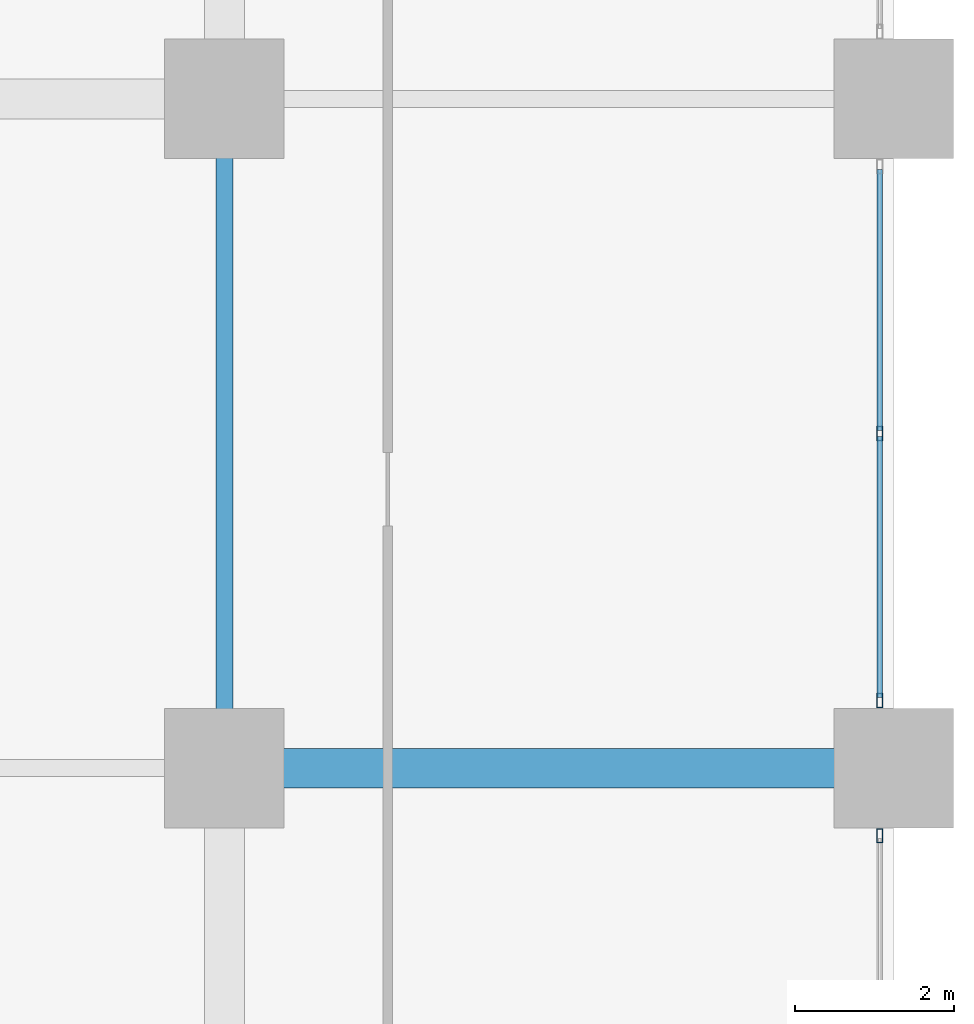
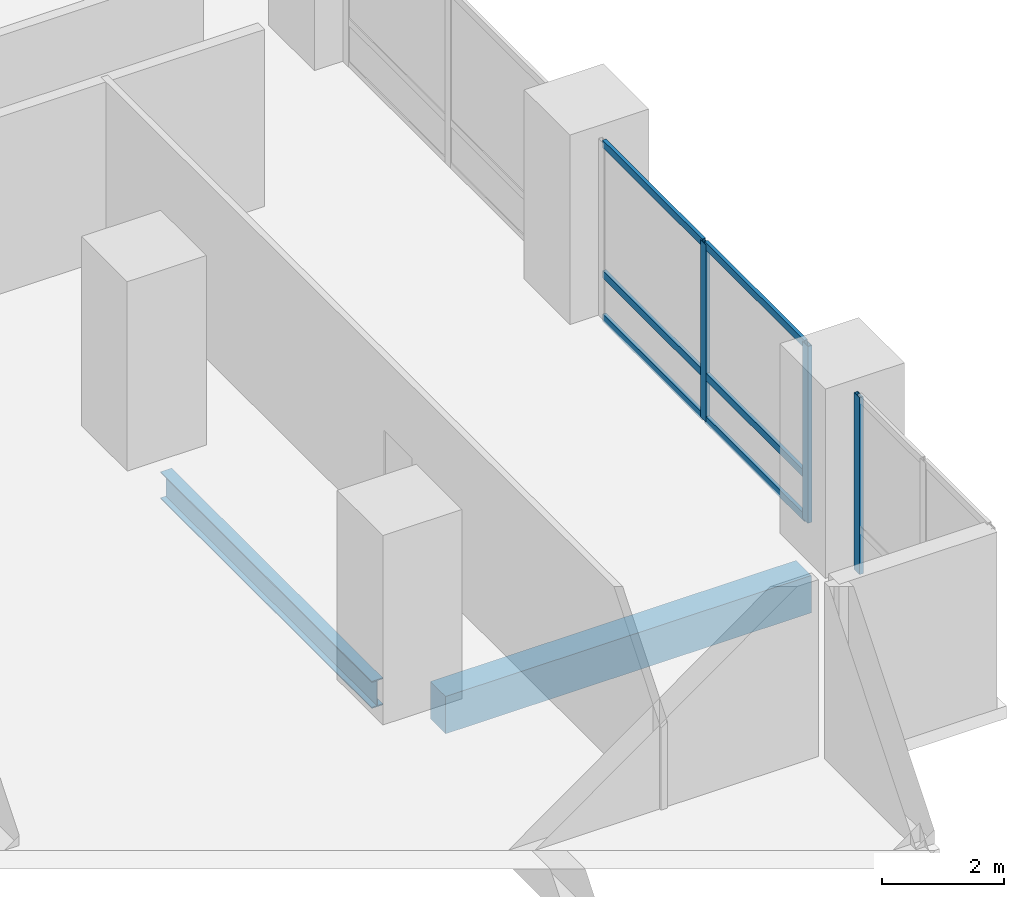
# One storey, part 4 of 27: 9 members, 2 beams, 2 elements without a shape of their own.
"""IFC4 building model written with IfcOpenShell, lengths in metres."""

from ifc_helpers import new_model, si_unit, direction, frame, origin, origin_2d, place, context, subcontext, project, spatial, rectangle, hollow_rectangle, i_section, extrude, material, layer, layer_set, material_profile, profile_set, type_object, element, aggregate, save


model = new_model("IFC4")

# Units and contexts
model_context = context("Model", 3, precision=1e-05, world=origin(), true_north=direction((0.0, 1.0)))
body_context = subcontext(model_context, "Body", "Model", "MODEL_VIEW")
ifc_project = project(units=[si_unit("LENGTHUNIT", "METRE"), si_unit("AREAUNIT", "SQUARE_METRE"), si_unit("VOLUMEUNIT", "CUBIC_METRE"), si_unit("PLANEANGLEUNIT", "RADIAN"), si_unit("MASSUNIT", "GRAM", prefix="KILO")], contexts=[model_context])

# Site, building, storey
site_placement = place(None, origin())
site = spatial("IfcSite", under=ifc_project, at=site_placement, CompositionType="ELEMENT")
building_placement = place(site_placement, origin())
building = spatial("IfcBuilding", under=site, at=building_placement, Name="Koriwani Terraces Tower", CompositionType="ELEMENT")
storey_placement = place(building_placement, frame((0.0, 0.0, 54.800048828125)))
storey = spatial("IfcBuildingStorey", under=building, at=storey_placement, Name="L12", CompositionType="ELEMENT", Elevation=54.800048828125)

# Beam
ifc_material_1 = material(Name="Concrete C50/60", Category="concrete")
ifc_material_profile_1 = material_profile(ifc_material_1, rectangle(XDim=0.5, YDim=0.75, at=origin_2d()), Name="Concrete C50/60", Category="LoadBearing")
ifc_profile_set_1 = profile_set([ifc_material_profile_1], Name="Concrete C50/60")
beam_type_1 = type_object("IfcBeamType", Name="BEAM_RC_GRID_500X750", PredefinedType="BEAM", material=ifc_profile_set_1)
beam_1_placement = place(storey_placement, frame((84.72998046875, 8.39990234375, -0.625), z_axis=(1.0, 0.0, 0.0), x_axis=(0.0, 1.0, 0.0)))
element("IfcBeam", 1, at=beam_1_placement, inside=storey, type_object=beam_type_1, Name="L12 Grid Beam B (84.0-92.4m)", PredefinedType="BEAM", context=body_context, shape_type="SweptSolid", body=[
    extrude(rectangle(XDim=0.5, YDim=0.75, at=origin_2d()), origin(), (0.0, 0.0, 1.0), 6.93994140625),
])

# Curtain wall, members
ifc_material_2 = material(Name="Anodised Bronze Aluminium", Category="aluminium")
ifc_layer = layer(ifc_material_2, 0.179931640625, Name="Anodised Bronze Aluminium")
ifc_layer_set = layer_set([ifc_layer], Name="Anodised Bronze Aluminium")
curtain_wall_type = type_object("IfcCurtainWallType", Name="CW_HOTEL_ZONE1", PredefinedType="NOTDEFINED", material=ifc_layer_set)
curtain_wall_1_placement = place(storey_placement, origin())
curtain_wall_1 = element("IfcCurtainWall", 2, at=curtain_wall_1_placement, inside=storey, type_object=curtain_wall_type, Name="L12 Unitised Curtain Wall (E_TIP) Bay 3", PredefinedType="NOTDEFINED")
ifc_material_profile_2 = material_profile(ifc_material_2, hollow_rectangle(XDim=0.074951171875, YDim=0.179931640625, WallThickness=0.006103515625, at=origin_2d()), Name="Anodised Bronze Aluminium", Category="LoadBearing")
ifc_profile_set_2 = profile_set([ifc_material_profile_2], Name="Anodised Bronze Aluminium")
member_type_1 = type_object("IfcMemberType", Name="CW_MULLION_180X75", PredefinedType="MULLION", material=ifc_profile_set_2)
member_1_placement = place(storey_placement, frame((92.22509765625, 12.60009765625, 0.0), z_axis=(0.0, 0.0, 1.0), x_axis=(1.0, 0.0, 0.0)))
member_1 = element("IfcMember", 3, at=member_1_placement, type_object=member_type_1, Name="CW-Z1 mullion 2", PredefinedType="MULLION", context=body_context, shape_type="SweptSolid", body=[
    extrude(hollow_rectangle(XDim=0.074951171875, YDim=0.179931640625, WallThickness=0.006103515625, at=origin_2d()), origin(), (0.0, 0.0, 1.0), 3.550048828125),
])
member_2_placement = place(storey_placement, frame((92.22509765625, 9.24755859375, 0.0), z_axis=(0.0, 0.0, 1.0), x_axis=(1.0, 0.0, 0.0)))
member_2 = element("IfcMember", 4, at=member_2_placement, type_object=member_type_1, Name="CW-Z1 mullion 3", PredefinedType="MULLION", context=body_context, shape_type="SweptSolid", body=[
    extrude(hollow_rectangle(XDim=0.074951171875, YDim=0.179931640625, WallThickness=0.006103515625, at=origin_2d()), origin(), (0.0, 0.0, 1.0), 3.550048828125),
])

# Curtain wall, member
curtain_wall_2_placement = place(storey_placement, origin())
curtain_wall_2 = element("IfcCurtainWall", 5, at=curtain_wall_2_placement, inside=storey, type_object=curtain_wall_type, Name="L12 Unitised Curtain Wall (E_TIP) Bay 4", PredefinedType="NOTDEFINED")
member_3_placement = place(storey_placement, frame((92.22509765625, 7.552490234375, 0.0), z_axis=(0.0, 0.0, 1.0), x_axis=(1.0, 0.0, 0.0)))
member_3 = element("IfcMember", 6, at=member_3_placement, type_object=member_type_1, Name="CW-Z1 mullion 1", PredefinedType="MULLION", context=body_context, shape_type="SweptSolid", body=[
    extrude(hollow_rectangle(XDim=0.074951171875, YDim=0.179931640625, WallThickness=0.006103515625, at=origin_2d()), origin(), (0.0, 0.0, 1.0), 3.550048828125),
])
aggregate(curtain_wall_2, [member_3])

# Member
ifc_material_profile_3 = material_profile(ifc_material_2, hollow_rectangle(XDim=0.06494140625, YDim=0.14990234375, WallThickness=0.0048828125, at=origin_2d()), Name="Anodised Bronze Aluminium", Category="LoadBearing")
ifc_profile_set_3 = profile_set([ifc_material_profile_3], Name="Anodised Bronze Aluminium")
member_type_2 = type_object("IfcMemberType", Name="CW_TRANSOM_150X65", PredefinedType="USERDEFINED", material=ifc_profile_set_3)
member_4_placement = place(storey_placement, frame((92.22509765625, 15.9150390625, 0.032470703125), z_axis=(0.0, -1.0, 0.0), x_axis=(1.0, 0.0, 0.0)))
member_4 = element("IfcMember", 7, at=member_4_placement, type_object=member_type_2, Name="CW-Z1 transom 1.1", ObjectType="TRANSOM", PredefinedType="USERDEFINED", context=body_context, shape_type="SweptSolid", body=[
    extrude(hollow_rectangle(XDim=0.06494140625, YDim=0.14990234375, WallThickness=0.0048828125, at=origin_2d()), origin(), (0.0, 0.0, 1.0), 3.277587890625),
])

member_5_placement = place(storey_placement, frame((92.22509765625, 15.9150390625, 0.89990234375), z_axis=(0.0, -1.0, 0.0), x_axis=(1.0, 0.0, 0.0)))
member_5 = element("IfcMember", 8, at=member_5_placement, type_object=member_type_2, Name="CW-Z1 transom 1.2", ObjectType="TRANSOM", PredefinedType="USERDEFINED", context=body_context, shape_type="SweptSolid", body=[
    extrude(hollow_rectangle(XDim=0.06494140625, YDim=0.14990234375, WallThickness=0.0048828125, at=origin_2d()), origin(), (0.0, 0.0, 1.0), 3.277587890625),
])

member_6_placement = place(storey_placement, frame((92.22509765625, 15.9150390625, 3.517333984375), z_axis=(0.0, -1.0, 0.0), x_axis=(1.0, 0.0, 0.0)))
member_6 = element("IfcMember", 9, at=member_6_placement, type_object=member_type_2, Name="CW-Z1 transom 1.3", ObjectType="TRANSOM", PredefinedType="USERDEFINED", context=body_context, shape_type="SweptSolid", body=[
    extrude(hollow_rectangle(XDim=0.06494140625, YDim=0.14990234375, WallThickness=0.0048828125, at=origin_2d()), origin(), (0.0, 0.0, 1.0), 3.277587890625),
])

member_7_placement = place(storey_placement, frame((92.22509765625, 12.5625, 0.032470703125), z_axis=(0.0, -1.0, 0.0), x_axis=(1.0, 0.0, 0.0)))
member_7 = element("IfcMember", 10, at=member_7_placement, type_object=member_type_2, Name="CW-Z1 transom 2.1", ObjectType="TRANSOM", PredefinedType="USERDEFINED", context=body_context, shape_type="SweptSolid", body=[
    extrude(hollow_rectangle(XDim=0.06494140625, YDim=0.14990234375, WallThickness=0.0048828125, at=origin_2d()), origin(), (0.0, 0.0, 1.0), 3.277587890625),
])

member_8_placement = place(storey_placement, frame((92.22509765625, 12.5625, 0.89990234375), z_axis=(0.0, -1.0, 0.0), x_axis=(1.0, 0.0, 0.0)))
member_8 = element("IfcMember", 11, at=member_8_placement, type_object=member_type_2, Name="CW-Z1 transom 2.2", ObjectType="TRANSOM", PredefinedType="USERDEFINED", context=body_context, shape_type="SweptSolid", body=[
    extrude(hollow_rectangle(XDim=0.06494140625, YDim=0.14990234375, WallThickness=0.0048828125, at=origin_2d()), origin(), (0.0, 0.0, 1.0), 3.277587890625),
])

member_9_placement = place(storey_placement, frame((92.22509765625, 12.5625, 3.517333984375), z_axis=(0.0, -1.0, 0.0), x_axis=(1.0, 0.0, 0.0)))
member_9 = element("IfcMember", 12, at=member_9_placement, type_object=member_type_2, Name="CW-Z1 transom 2.3", ObjectType="TRANSOM", PredefinedType="USERDEFINED", context=body_context, shape_type="SweptSolid", body=[
    extrude(hollow_rectangle(XDim=0.06494140625, YDim=0.14990234375, WallThickness=0.0048828125, at=origin_2d()), origin(), (0.0, 0.0, 1.0), 3.277587890625),
])

aggregate(curtain_wall_1, [member_1, member_2, member_4, member_5, member_6, member_7, member_8, member_9])

# Beam
ifc_material_3 = material(Name="Steel ASTM A572 Grade 50", Category="steel")
ifc_material_profile_4 = material_profile(ifc_material_3, i_section(OverallWidth=0.2119140625, OverallDepth=0.54296875, WebThickness=0.0126953125, FlangeThickness=0.021240234375, at=origin_2d()), Name="Steel ASTM A572 Grade 50", Category="LoadBearing")
ifc_profile_set_4 = profile_set([ifc_material_profile_4], Name="Steel ASTM A572 Grade 50")
beam_type_2 = type_object("IfcBeamType", Name="STEEL_BEAM_W530X150", PredefinedType="BEAM", material=ifc_profile_set_4)
beam_2_placement = place(storey_placement, frame((84.0, 9.1298828125, -0.521484375), z_axis=(0.0, 1.0, 0.0), x_axis=(-1.0, 0.0, 0.0)))
element("IfcBeam", 13, at=beam_2_placement, inside=storey, type_object=beam_type_2, Name="L12 Grid Beam 11 (8.4-16.8m)", PredefinedType="BEAM", context=body_context, shape_type="SweptSolid", body=[
    extrude(i_section(OverallWidth=0.2119140625, OverallDepth=0.54296875, WebThickness=0.0126953125, FlangeThickness=0.021240234375, at=origin_2d()), origin(), (0.0, 0.0, 1.0), 6.940185546875),
])

save(model, "model.ifc")
